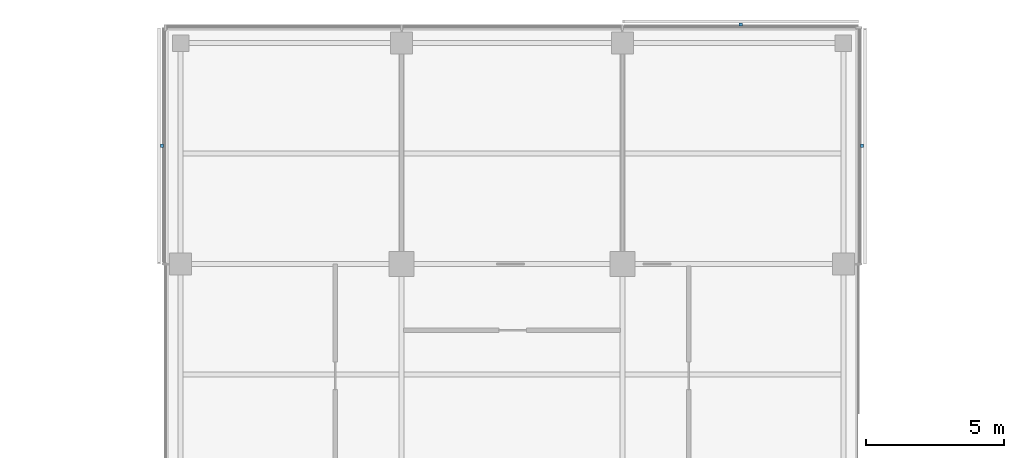
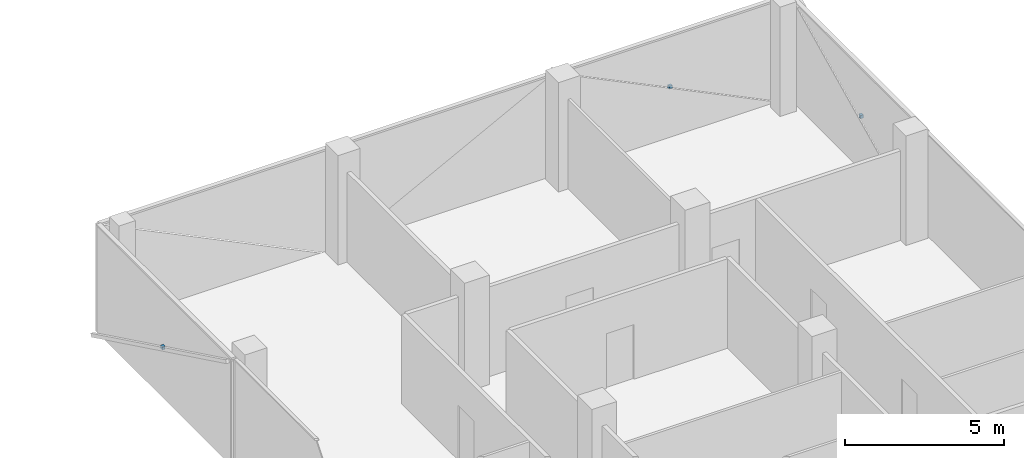
# One storey, part 14 of 15: 3 discrete accessories.
"""IFC4 building model written with IfcOpenShell, lengths in metres."""

from ifc_helpers import new_model, si_unit, direction, frame, origin, origin_2d, place, context, subcontext, project, spatial, rectangle, extrude, material, type_object, element, save


model = new_model("IFC4")

# Units and contexts
model_context = context("Model", 3, precision=1e-05, world=origin(), true_north=direction((0.0, 1.0)))
body_context = subcontext(model_context, "Body", "Model", "MODEL_VIEW")
ifc_project = project(units=[si_unit("LENGTHUNIT", "METRE"), si_unit("AREAUNIT", "SQUARE_METRE"), si_unit("VOLUMEUNIT", "CUBIC_METRE"), si_unit("PLANEANGLEUNIT", "RADIAN"), si_unit("MASSUNIT", "GRAM", prefix="KILO")], contexts=[model_context])

# Site, building, storey
site_placement = place(None, origin())
site = spatial("IfcSite", under=ifc_project, at=site_placement, CompositionType="ELEMENT")
building_placement = place(site_placement, origin())
building = spatial("IfcBuilding", under=site, at=building_placement, Name="Crosswind Convention Tower", CompositionType="ELEMENT")
storey_placement = place(building_placement, frame((0.0, 0.0, 204.10009765625)))
storey = spatial("IfcBuildingStorey", under=building, at=storey_placement, Name="L43", CompositionType="ELEMENT", Elevation=204.10009765625)

# Discrete accessories
ifc_material = material(Name="Stainless steel", Category="steel")
discrete_accessory_type = type_object("IfcDiscreteAccessoryType", Name="BAGUETTE BRACKET BK3", PredefinedType="BRACKET", material=ifc_material)
for number, where, z_axis, x_axis, name in (
    (1, (137.676025390625, 124.280029296875, 1.704833984375), (0.0, 0.0, 1.0), (0.0, 1.0, 0.0), "BK3 baguette bracket"),
    (2, (133.280029296875, 128.676025390625, 1.704833984375), (0.0, 0.0, 1.0), (-1.0, 0.0, 0.0), "BK3 baguette bracket"),
    (3, (112.323974609375, 124.280029296875, 1.704833984375), (0.0, 0.0, 1.0), (0.0, -1.0, 0.0), "BK3 baguette bracket"),
):
    element("IfcDiscreteAccessory", number, at=place(storey_placement, frame(where, z_axis=z_axis, x_axis=x_axis)), inside=storey, type_object=discrete_accessory_type, Name=name, PredefinedType="BRACKET", context=body_context, shape_type="SweptSolid", body=[
        extrude(rectangle(XDim=0.1201171875, YDim=0.10009765625, at=origin_2d()), origin(), (0.0, 0.0, 1.0), 0.1201171875),
    ])

save(model, "model.ifc")
